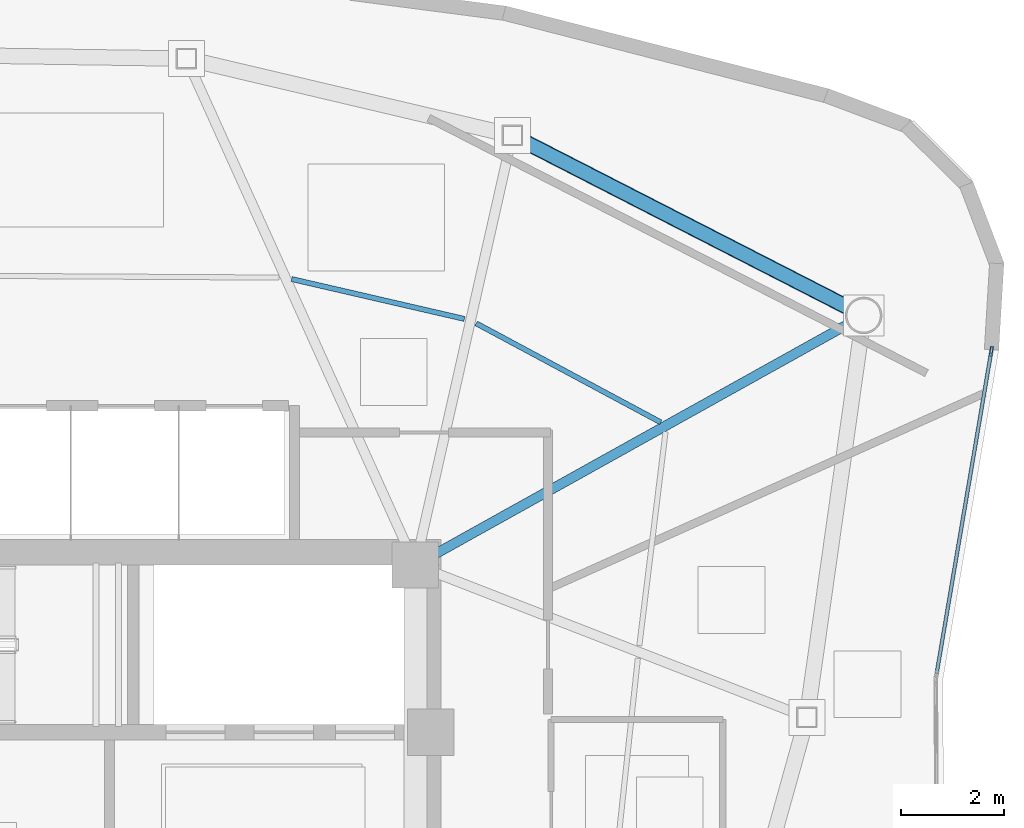
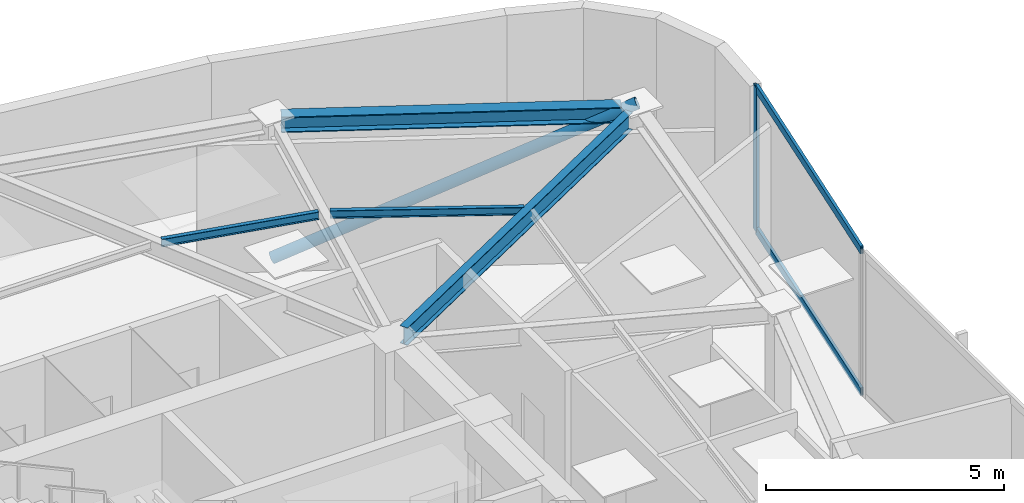
# One storey, part 6 of 11: 4 beams, 4 members, 1 element without a shape of its own.
"""IFC4 building model written with IfcOpenShell, lengths in metres."""

from ifc_helpers import new_model, si_unit, direction, frame, origin, origin_2d, place, context, subcontext, project, spatial, hollow_rectangle, hollow_circle, i_section, extrude, source, transform, mapped, material, layer, layer_set, material_profile, profile_set, type_object, type_shapes, element, aggregate, save


model = new_model("IFC4")

# Units and contexts
model_context = context("Model", 3, precision=1e-05, world=origin(), true_north=direction((0.0, 1.0)))
body_context = subcontext(model_context, "Body", "Model", "MODEL_VIEW")
ifc_project = project(units=[si_unit("LENGTHUNIT", "METRE"), si_unit("AREAUNIT", "SQUARE_METRE"), si_unit("VOLUMEUNIT", "CUBIC_METRE"), si_unit("PLANEANGLEUNIT", "RADIAN"), si_unit("MASSUNIT", "GRAM", prefix="KILO")], contexts=[model_context])

# Site, building, storey
site_placement = place(None, origin())
site = spatial("IfcSite", under=ifc_project, at=site_placement, CompositionType="ELEMENT")
building_placement = place(site_placement, origin())
building = spatial("IfcBuilding", under=site, at=building_placement, Name="Tavelor Broadcast Tower", CompositionType="ELEMENT")
storey_placement = place(building_placement, frame((0.0, 0.0, 309.5)))
storey = spatial("IfcBuildingStorey", under=building, at=storey_placement, Name="L74", CompositionType="ELEMENT", Elevation=309.5)

# Beams
ifc_material_1 = material(Name="Steel S355", Category="steel")
ifc_material_profile_1 = material_profile(ifc_material_1, i_section(OverallWidth=0.10009765625, OverallDepth=0.199951171875, WebThickness=0.005615234375, FlangeThickness=0.008544921875, at=origin_2d()), Name="IPE 200")
ifc_profile_set_1 = profile_set([ifc_material_profile_1], Name="Steel S355")
beam_type_1 = type_object("IfcBeamType", Name="Composite Floor Joist T8 IPE 200", PredefinedType="JOIST", material=ifc_profile_set_1)
beam_1_placement = place(storey_placement, frame((61.372802734375, 53.97705078125, 3.60009765625), z_axis=(-0.881270485995, 0.47261224118, 0.0), x_axis=(-0.47261224118, -0.881270485995, 0.0)))
element("IfcBeam", 1, at=beam_1_placement, inside=storey, type_object=beam_type_1, Name="L74 Secondary Composite Floor Joist 13", PredefinedType="JOIST", context=body_context, shape_type="SweptSolid", body=[
    extrude(i_section(OverallWidth=0.10009765625, OverallDepth=0.199951171875, WebThickness=0.005615234375, FlangeThickness=0.008544921875, at=origin_2d()), origin(), (0.0, 0.0, 1.0), 4.0732421875),
])
beam_2_placement = place(storey_placement, frame((57.553466796875, 55.98828125, 3.60009765625), z_axis=(-0.974380456478, 0.224906038232, 0.0), x_axis=(-0.224906038232, -0.974380456478, 0.0)))
element("IfcBeam", 2, at=beam_2_placement, inside=storey, type_object=beam_type_1, Name="L74 Secondary Composite Floor Joist 14", PredefinedType="JOIST", context=body_context, shape_type="SweptSolid", body=[
    extrude(i_section(OverallWidth=0.10009765625, OverallDepth=0.199951171875, WebThickness=0.005615234375, FlangeThickness=0.008544921875, at=origin_2d()), origin(), (0.0, 0.0, 1.0), 3.44873046875),
])
ifc_material_profile_2 = material_profile(ifc_material_1, i_section(OverallWidth=0.300048828125, OverallDepth=0.39990234375, WebThickness=0.013427734375, FlangeThickness=0.02392578125, at=origin_2d()), Name="HEB 400")
ifc_profile_set_2 = profile_set([ifc_material_profile_2], Name="Steel S355")
beam_type_2 = type_object("IfcBeamType", Name="Perimeter Spandrel Beam T8 HEB 400", PredefinedType="SPANDREL", material=ifc_profile_set_2)
beam_3_placement = place(storey_placement, frame((65.015869140625, 56.211181640625, 3.5), z_axis=(-0.889983170291, 0.455993373415, 0.0), x_axis=(-0.455993373415, -0.889983170291, 0.0)))
element("IfcBeam", 3, at=beam_3_placement, inside=storey, type_object=beam_type_2, Name="L74 Framed-Tube Ring Spandrel 13", PredefinedType="SPANDREL", context=body_context, shape_type="SweptSolid", body=[
    extrude(i_section(OverallWidth=0.300048828125, OverallDepth=0.39990234375, WebThickness=0.013427734375, FlangeThickness=0.02392578125, at=origin_2d()), origin(), (0.0, 0.0, 1.0), 7.1455078125),
])

# Member
ifc_material_profile_3 = material_profile(ifc_material_1, hollow_circle(Radius=0.136474609375, WallThickness=0.012451171875, at=origin_2d()), Name="CHS 273x12.5")
ifc_profile_set_3 = profile_set([ifc_material_profile_3], Name="Steel S355")
member_type_1 = type_object("IfcMemberType", Name="Perimeter Tube Brace T8 CHS 273x12.5", PredefinedType="BRACE", material=ifc_profile_set_3)
member_1_placement = place(storey_placement, frame((58.485595703125, 59.55712890625, 0.0), z_axis=(0.801763897696, -0.410792291396, 0.434078732123), x_axis=(0.455992584505, 0.889983574498, 0.0)))
element("IfcMember", 4, at=member_1_placement, inside=storey, type_object=member_type_1, Name="L74 Corner Tube Diagonal Brace 3", PredefinedType="BRACE", context=body_context, shape_type="SweptSolid", body=[
    extrude(hollow_circle(Radius=0.136474609375, WallThickness=0.012451171875, at=origin_2d()), origin(), (0.0, 0.0, 1.0), 8.523681640625),
])

# Beam
ifc_material_profile_4 = material_profile(ifc_material_1, i_section(OverallWidth=0.18994140625, OverallDepth=0.449951171875, WebThickness=0.009521484375, FlangeThickness=0.0146484375, at=origin_2d()), Name="IPE 450")
ifc_profile_set_4 = profile_set([ifc_material_profile_4], Name="Steel S355")
beam_type_3 = type_object("IfcBeamType", Name="Radial Floor Girder T8 IPE 450", PredefinedType="BEAM", material=ifc_profile_set_4)
beam_4_placement = place(storey_placement, frame((56.977294921875, 51.41015625, 3.47509765625), z_axis=(0.87366652502, 0.486525233734, 0.0), x_axis=(-0.486525233734, 0.87366652502, 0.0)))
element("IfcBeam", 5, at=beam_4_placement, inside=storey, type_object=beam_type_3, Name="L74 Radial Primary Floor Girder 13", PredefinedType="BEAM", context=body_context, shape_type="SweptSolid", body=[
    extrude(i_section(OverallWidth=0.18994140625, OverallDepth=0.449951171875, WebThickness=0.009521484375, FlangeThickness=0.0146484375, at=origin_2d()), origin(), (0.0, 0.0, 1.0), 9.20703125),
])

# Curtain wall, members
ifc_material_2 = material(Name="Architectural Anodized Aluminium", Category="aluminium")
ifc_layer = layer(ifc_material_2, 0.199951171875)
ifc_layer_set = layer_set([ifc_layer], Name="Architectural Anodized Aluminium")
curtain_wall_type = type_object("IfcCurtainWallType", Name="Tower High-Zone Triple-Glazed Curtain Wall CW04", PredefinedType="NOTDEFINED", material=ifc_layer_set)
curtain_wall_placement = place(storey_placement, origin())
curtain_wall = element("IfcCurtainWall", 6, at=curtain_wall_placement, inside=storey, type_object=curtain_wall_type, Name="L74 Curtain Wall CW04 Run 824", PredefinedType="NOTDEFINED")
ifc_material_profile_5 = material_profile(ifc_material_2, hollow_rectangle(XDim=0.070068359375, YDim=0.199951171875, WallThickness=0.02197265625, at=origin_2d()), Name="RHS 70x200x22")
ifc_profile_set_5 = profile_set([ifc_material_profile_5], Name="Architectural Anodized Aluminium")
member_type_2 = type_object("IfcMemberType", Name="CW04 Extruded Aluminium Mullion 70x200", PredefinedType="MULLION", material=ifc_profile_set_5)
shared_shape_1 = source(origin(), body_context, "Body", "SweptSolid", [
    extrude(hollow_rectangle(XDim=0.070068359375, YDim=0.199951171875, WallThickness=0.02197265625, at=origin_2d()), origin(), (0.0, 0.0, 1.0), 3.699951171875),
])
type_shapes(member_type_2, [shared_shape_1])
member_2_placement = place(storey_placement, frame((67.801513671875, 55.356689453125, 0.0), z_axis=(0.0, 0.0, 1.0), x_axis=(-0.985927160576, 0.16717545884, 0.0)))
member_2 = element("IfcMember", 7, at=member_2_placement, type_object=member_type_2, Name="CW04 mullion 2", PredefinedType="MULLION", context=body_context, shape_type="MappedRepresentation", body=[
    mapped(shared_shape_1, transform((0.0, 0.0, 0.0), scale=1.0)),
])
ifc_material_profile_6 = material_profile(ifc_material_2, hollow_rectangle(XDim=0.070068359375, YDim=0.199951171875, WallThickness=0.02197265625, at=origin_2d()), Name="RHS 70x200x22")
ifc_profile_set_6 = profile_set([ifc_material_profile_6], Name="Architectural Anodized Aluminium")
member_type_3 = type_object("IfcMemberType", Name="CW04 Extruded Aluminium Transom 70x200", PredefinedType="USERDEFINED", material=ifc_profile_set_6)
shared_shape_2 = source(origin(), body_context, "Body", "SweptSolid", [
    extrude(hollow_rectangle(XDim=0.070068359375, YDim=0.199951171875, WallThickness=0.02197265625, at=origin_2d()), origin(), (0.0, 0.0, 1.0), 6.330078125),
])
type_shapes(member_type_3, [shared_shape_2])
member_3_placement = place(storey_placement, frame((66.737548828125, 49.081298828125, 0.034912109375), z_axis=(0.167156524188, 0.98593037098, 0.0), x_axis=(-0.98593037098, 0.167156524188, 0.0)))
member_3 = element("IfcMember", 8, at=member_3_placement, type_object=member_type_3, Name="CW04 transom 1.1", ObjectType="TRANSOM", PredefinedType="USERDEFINED", context=body_context, shape_type="MappedRepresentation", body=[
    mapped(shared_shape_2, transform((0.0, 0.0, 0.0), scale=1.0)),
])
member_4_placement = place(storey_placement, frame((66.737548828125, 49.081298828125, 3.6650390625), z_axis=(0.167156524188, 0.98593037098, 0.0), x_axis=(-0.98593037098, 0.167156524188, 0.0)))
member_4 = element("IfcMember", 9, at=member_4_placement, type_object=member_type_3, Name="CW04 transom 1.2", ObjectType="TRANSOM", PredefinedType="USERDEFINED", context=body_context, shape_type="MappedRepresentation", body=[
    mapped(shared_shape_2, transform((0.0, 0.0, 0.0), scale=1.0)),
])
aggregate(curtain_wall, [member_2, member_3, member_4])

save(model, "model.ifc")
